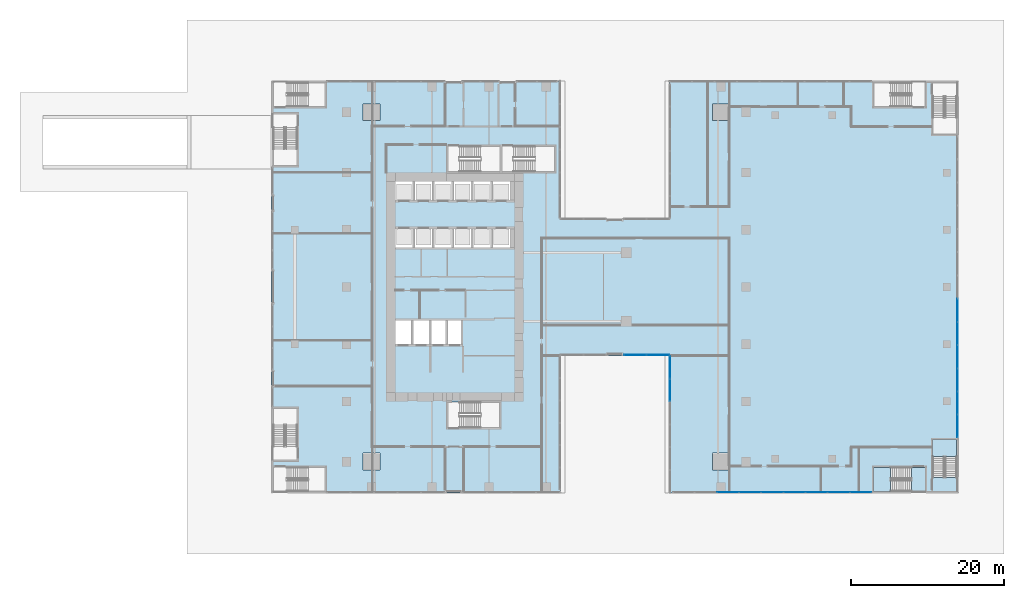
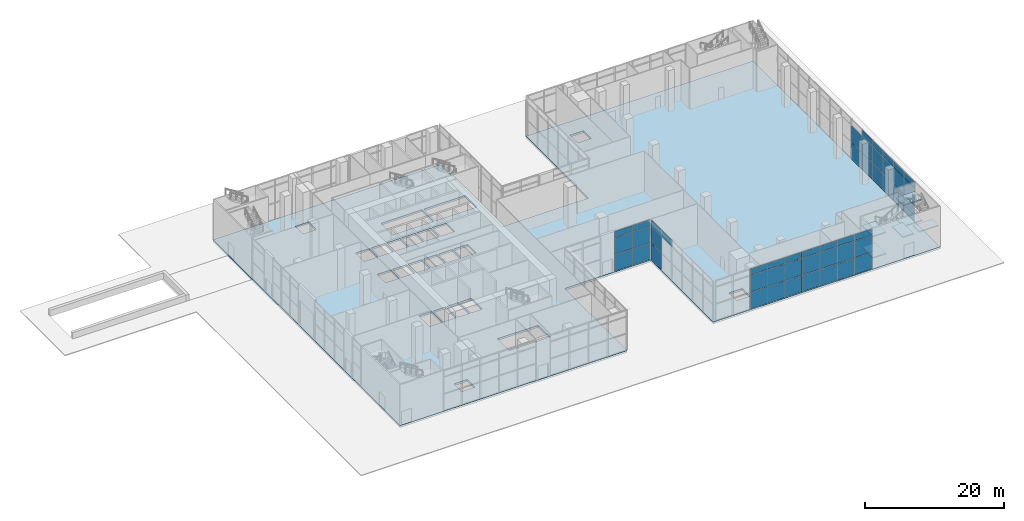
# One storey, part 34 of 52: 48 plates, 7 slabs, 6 elements without a shape of their own.
"""IFC4 building model written with IfcOpenShell, lengths in metres."""

from ifc_helpers import new_model, si_unit, direction, frame, origin, origin_2d, place, context, subcontext, project, spatial, polyline, rectangle, outline, extrude, source, transform, mapped, material, layer, layer_set, type_object, element, aggregate, save


model = new_model("IFC4")

# Units and contexts
model_context = context("Model", 3, precision=1e-05, world=origin(), true_north=direction((0.0, 1.0)))
body_context = subcontext(model_context, "Body", "Model", "MODEL_VIEW")
ifc_project = project(units=[si_unit("LENGTHUNIT", "METRE"), si_unit("AREAUNIT", "SQUARE_METRE"), si_unit("VOLUMEUNIT", "CUBIC_METRE"), si_unit("PLANEANGLEUNIT", "RADIAN"), si_unit("MASSUNIT", "GRAM", prefix="KILO")], contexts=[model_context])

# Site, building, storey
site_placement = place(None, origin())
site = spatial("IfcSite", under=ifc_project, at=site_placement, CompositionType="ELEMENT")
building_placement = place(site_placement, origin())
building = spatial("IfcBuilding", under=site, at=building_placement, Name="Khomas Fold Tower", CompositionType="ELEMENT")
storey_placement = place(building_placement, origin())
storey = spatial("IfcBuildingStorey", under=building, at=storey_placement, Name="L00", CompositionType="ELEMENT", Elevation=0.0)

# Slab
ifc_material_1 = material(Name="Concrete C40/50", Category="concrete")
ifc_layer_1 = layer(ifc_material_1, 0.35009765625)
ifc_layer_set_1 = layer_set([ifc_layer_1], Name="Concrete C40/50")
slab_type_1 = type_object("IfcSlabType", Name="RC floor slab 350", PredefinedType="FLOOR", material=ifc_layer_set_1)
shared_shape_1 = source(origin(), body_context, "Body", "SweptSolid", [
    extrude(outline(polyline([(-9.0, 0.0), (28.85009765625, 0.0), (28.85009765625, 18.0), (43.14990234375, 18.0), (43.14990234375, 0.0), (81.0, 0.0), (81.0, 54.0), (43.14990234375, 54.0), (43.14990234375, 36.0), (28.85009765625, 36.0), (28.85009765625, 54.0), (-9.0, 54.0), (-9.0, 0.0)]), holes=[polyline([(2.9951171875, 2.9951171875), (2.9951171875, 5.205078125), (5.205078125, 5.205078125), (5.205078125, 2.9951171875), (2.9951171875, 2.9951171875)]), polyline([(2.9951171875, 48.794921875), (2.9951171875, 51.0048828125), (5.205078125, 51.0048828125), (5.205078125, 48.794921875), (2.9951171875, 48.794921875)]), polyline([(7.199951171875, 19.5), (7.199951171875, 22.60009765625), (9.300048828125, 22.60009765625), (9.300048828125, 19.5), (7.199951171875, 19.5)]), polyline([(7.199951171875, 32.199951171875), (7.199951171875, 34.60009765625), (9.5, 34.60009765625), (9.5, 32.199951171875), (7.199951171875, 32.199951171875)]), polyline([(7.199951171875, 38.39990234375), (7.199951171875, 40.800048828125), (9.5, 40.800048828125), (9.5, 38.39990234375), (7.199951171875, 38.39990234375)]), polyline([(9.550048828125, 19.5), (9.550048828125, 22.60009765625), (11.64990234375, 22.60009765625), (11.64990234375, 19.5), (9.550048828125, 19.5)]), polyline([(9.75, 32.199951171875), (9.75, 34.60009765625), (12.050048828125, 34.60009765625), (12.050048828125, 32.199951171875), (9.75, 32.199951171875)]), polyline([(9.75, 38.39990234375), (9.75, 40.800048828125), (12.050048828125, 40.800048828125), (12.050048828125, 38.39990234375), (9.75, 38.39990234375)]), polyline([(11.89990234375, 19.5), (11.89990234375, 22.60009765625), (13.800048828125, 22.60009765625), (13.800048828125, 19.5), (11.89990234375, 19.5)]), polyline([(12.300048828125, 32.199951171875), (12.300048828125, 34.60009765625), (14.60009765625, 34.60009765625), (14.60009765625, 32.199951171875), (12.300048828125, 32.199951171875)]), polyline([(12.300048828125, 38.39990234375), (12.300048828125, 40.800048828125), (14.60009765625, 40.800048828125), (14.60009765625, 38.39990234375), (12.300048828125, 38.39990234375)]), polyline([(14.050048828125, 19.5), (14.050048828125, 22.60009765625), (15.949951171875, 22.60009765625), (15.949951171875, 19.5), (14.050048828125, 19.5)]), polyline([(14.10009765625, 8.550048828125), (14.10009765625, 11.89990234375), (20.89990234375, 11.89990234375), (20.89990234375, 8.550048828125), (14.10009765625, 8.550048828125)]), polyline([(14.10009765625, 42.10009765625), (14.10009765625, 45.449951171875), (20.89990234375, 45.449951171875), (20.89990234375, 42.10009765625), (14.10009765625, 42.10009765625)]), polyline([(14.85009765625, 32.199951171875), (14.85009765625, 34.60009765625), (17.14990234375, 34.60009765625), (17.14990234375, 32.199951171875), (14.85009765625, 32.199951171875)]), polyline([(14.85009765625, 38.39990234375), (14.85009765625, 40.800048828125), (17.14990234375, 40.800048828125), (17.14990234375, 38.39990234375), (14.85009765625, 38.39990234375)]), polyline([(17.39990234375, 32.199951171875), (17.39990234375, 34.60009765625), (19.699951171875, 34.60009765625), (19.699951171875, 32.199951171875), (17.39990234375, 32.199951171875)]), polyline([(17.39990234375, 38.39990234375), (17.39990234375, 40.800048828125), (19.699951171875, 40.800048828125), (19.699951171875, 38.39990234375), (17.39990234375, 38.39990234375)]), polyline([(19.949951171875, 32.199951171875), (19.949951171875, 34.60009765625), (22.25, 34.60009765625), (22.25, 32.199951171875), (19.949951171875, 32.199951171875)]), polyline([(19.949951171875, 38.39990234375), (19.949951171875, 40.800048828125), (22.25, 40.800048828125), (22.25, 38.39990234375), (19.949951171875, 38.39990234375)]), polyline([(21.199951171875, 42.10009765625), (21.199951171875, 45.449951171875), (28.10009765625, 45.449951171875), (28.10009765625, 42.10009765625), (21.199951171875, 42.10009765625)]), polyline([(48.794921875, 2.9951171875), (48.794921875, 5.205078125), (51.0048828125, 5.205078125), (51.0048828125, 2.9951171875), (48.794921875, 2.9951171875)]), polyline([(48.794921875, 48.794921875), (48.794921875, 51.0048828125), (51.0048828125, 51.0048828125), (51.0048828125, 48.794921875), (48.794921875, 48.794921875)])]), origin(), (0.0, 0.0, 1.0), 0.35009765625),
])
slab_1_placement = place(storey_placement, frame((0.0, 0.0, -0.35009765625)))
element("IfcSlab", 1, at=slab_1_placement, inside=storey, type_object=slab_type_1, Name="S-L00", PredefinedType="FLOOR", context=body_context, shape_type="MappedRepresentation", body=[
    mapped(shared_shape_1, transform((0.0, 0.0, 0.0))),
])

# Curtain wall, plates
ifc_material_2 = material(Name="Aluminium framed double glazing", Category="aluminium")
curtain_wall_type = type_object("IfcCurtainWallType", Name="Shopfront glazing PD-CW", PredefinedType="NOTDEFINED", material=ifc_material_2)
curtain_wall_1_placement = place(storey_placement, origin())
curtain_wall_1 = element("IfcCurtainWall", 2, at=curtain_wall_1_placement, inside=storey, type_object=curtain_wall_type, Name="Podium shopfront run", PredefinedType="NOTDEFINED")
ifc_material_3 = material(Name="Double glazed unit")
ifc_layer_2 = layer(ifc_material_3, 0.031982421875)
ifc_layer_set_2 = layer_set([ifc_layer_2], Name="Double glazed unit")
plate_type = type_object("IfcPlateType", Name="Shopfront glazing panel PD-CW-P", PredefinedType="CURTAIN_PANEL", material=ifc_layer_set_2)
shared_shape_2 = source(origin(), body_context, "Body", "SweptSolid", [
    extrude(rectangle(XDim=2.909912109375, YDim=0.031982421875, at=origin_2d()), origin(), (0.0, 0.0, 1.0), 2.909912109375),
])
plate_1_placement = place(storey_placement, frame((38.6650390625, 18.080078125, 0.06005859375), z_axis=(0.0, 0.0, 1.0), x_axis=(1.0, 0.0, 0.0)))
plate_1 = element("IfcPlate", 3, at=plate_1_placement, type_object=plate_type, Name="PD-CW panel 1.1", PredefinedType="CURTAIN_PANEL", context=body_context, shape_type="MappedRepresentation", body=[
    mapped(shared_shape_2, transform((0.0, 0.0, 0.0))),
])
plate_2_placement = place(storey_placement, frame((41.635009765625, 18.080078125, 0.06005859375), z_axis=(0.0, 0.0, 1.0), x_axis=(1.0, 0.0, 0.0)))
plate_2 = element("IfcPlate", 4, at=plate_2_placement, type_object=plate_type, Name="PD-CW panel 2.1", PredefinedType="CURTAIN_PANEL", context=body_context, shape_type="MappedRepresentation", body=[
    mapped(shared_shape_2, transform((0.0, 0.0, 0.0))),
])

# Curtain wall, plate
curtain_wall_2_placement = place(storey_placement, origin())
curtain_wall_2 = element("IfcCurtainWall", 5, at=curtain_wall_2_placement, inside=storey, type_object=curtain_wall_type, Name="Podium shopfront run", PredefinedType="NOTDEFINED")
plate_3_placement = place(storey_placement, frame((43.22998046875, 16.485107421875, 0.06005859375), z_axis=(0.0, 0.0, 1.0), x_axis=(0.0, -1.0, 0.0)))
plate_3 = element("IfcPlate", 6, at=plate_3_placement, type_object=plate_type, Name="PD-CW panel 1.1", PredefinedType="CURTAIN_PANEL", context=body_context, shape_type="MappedRepresentation", body=[
    mapped(shared_shape_2, transform((0.0, 0.0, 0.0))),
])

# Plate
shared_shape_3 = source(origin(), body_context, "Body", "SweptSolid", [
    extrude(rectangle(XDim=2.909912109375, YDim=0.031982421875, at=origin_2d()), origin(), (0.0, 0.0, 1.0), 2.93994140625),
])
plate_4_placement = place(storey_placement, frame((38.6650390625, 18.080078125, 3.030029296875), z_axis=(0.0, 0.0, 1.0), x_axis=(1.0, 0.0, 0.0)))
plate_4 = element("IfcPlate", 7, at=plate_4_placement, type_object=plate_type, Name="PD-CW panel 1.2", PredefinedType="CURTAIN_PANEL", context=body_context, shape_type="MappedRepresentation", body=[
    mapped(shared_shape_3, transform((0.0, 0.0, 0.0))),
])

plate_5_placement = place(storey_placement, frame((41.635009765625, 18.080078125, 3.030029296875), z_axis=(0.0, 0.0, 1.0), x_axis=(1.0, 0.0, 0.0)))
plate_5 = element("IfcPlate", 8, at=plate_5_placement, type_object=plate_type, Name="PD-CW panel 2.2", PredefinedType="CURTAIN_PANEL", context=body_context, shape_type="MappedRepresentation", body=[
    mapped(shared_shape_3, transform((0.0, 0.0, 0.0))),
])

plate_6_placement = place(storey_placement, frame((43.22998046875, 16.485107421875, 3.030029296875), z_axis=(0.0, 0.0, 1.0), x_axis=(0.0, -1.0, 0.0)))
plate_6 = element("IfcPlate", 9, at=plate_6_placement, type_object=plate_type, Name="PD-CW panel 1.2", PredefinedType="CURTAIN_PANEL", context=body_context, shape_type="MappedRepresentation", body=[
    mapped(shared_shape_3, transform((0.0, 0.0, 0.0))),
])

shared_shape_4 = source(origin(), body_context, "Body", "SweptSolid", [
    extrude(rectangle(XDim=2.909912109375, YDim=0.031982421875, at=origin_2d()), origin(), (0.0, 0.0, 1.0), 1.06005859375),
])
plate_7_placement = place(storey_placement, frame((38.6650390625, 18.080078125, 6.030029296875), z_axis=(0.0, 0.0, 1.0), x_axis=(1.0, 0.0, 0.0)))
plate_7 = element("IfcPlate", 10, at=plate_7_placement, type_object=plate_type, Name="PD-CW panel 1.3", PredefinedType="CURTAIN_PANEL", context=body_context, shape_type="MappedRepresentation", body=[
    mapped(shared_shape_4, transform((0.0, 0.0, 0.0))),
])

plate_8_placement = place(storey_placement, frame((41.635009765625, 18.080078125, 6.030029296875), z_axis=(0.0, 0.0, 1.0), x_axis=(1.0, 0.0, 0.0)))
plate_8 = element("IfcPlate", 11, at=plate_8_placement, type_object=plate_type, Name="PD-CW panel 2.3", PredefinedType="CURTAIN_PANEL", context=body_context, shape_type="MappedRepresentation", body=[
    mapped(shared_shape_4, transform((0.0, 0.0, 0.0))),
])

aggregate(curtain_wall_1, [plate_1, plate_4, plate_7, plate_2, plate_5, plate_8])

plate_9_placement = place(storey_placement, frame((43.22998046875, 16.485107421875, 6.030029296875), z_axis=(0.0, 0.0, 1.0), x_axis=(0.0, -1.0, 0.0)))
plate_9 = element("IfcPlate", 12, at=plate_9_placement, type_object=plate_type, Name="PD-CW panel 1.3", PredefinedType="CURTAIN_PANEL", context=body_context, shape_type="MappedRepresentation", body=[
    mapped(shared_shape_4, transform((0.0, 0.0, 0.0))),
])

shared_shape_5 = source(origin(), body_context, "Body", "SweptSolid", [
    extrude(rectangle(XDim=2.93994140625, YDim=0.031982421875, at=origin_2d()), origin(), (0.0, 0.0, 1.0), 1.06005859375),
])
plate_10_placement = place(storey_placement, frame((43.22998046875, 13.5, 6.030029296875), z_axis=(0.0, 0.0, 1.0), x_axis=(0.0, -1.0, 0.0)))
plate_10 = element("IfcPlate", 13, at=plate_10_placement, type_object=plate_type, Name="PD-CW panel 2.3", PredefinedType="CURTAIN_PANEL", context=body_context, shape_type="MappedRepresentation", body=[
    mapped(shared_shape_5, transform((0.0, 0.0, 0.0))),
])

aggregate(curtain_wall_2, [plate_3, plate_6, plate_9, plate_10])

# Curtain wall, plates
curtain_wall_3_placement = place(storey_placement, origin())
curtain_wall_3 = element("IfcCurtainWall", 14, at=curtain_wall_3_placement, inside=storey, type_object=curtain_wall_type, Name="Podium shopfront run", PredefinedType="NOTDEFINED")
shared_shape_6 = source(origin(), body_context, "Body", "SweptSolid", [
    extrude(rectangle(XDim=2.814453125, YDim=0.031982421875, at=origin_2d()), origin(), (0.0, 0.0, 1.0), 2.909912109375),
])
plate_11_placement = place(storey_placement, frame((68.22265625, 0.080078125, 0.06005859375), z_axis=(0.0, 0.0, 1.0), x_axis=(1.0, 0.0, 0.0)))
plate_11 = element("IfcPlate", 15, at=plate_11_placement, type_object=plate_type, Name="PD-CW panel 9.1", PredefinedType="CURTAIN_PANEL", context=body_context, shape_type="MappedRepresentation", body=[
    mapped(shared_shape_6, transform((0.0, 0.0, 0.0))),
])
shared_shape_7 = source(origin(), body_context, "Body", "SweptSolid", [
    extrude(rectangle(XDim=2.814453125, YDim=0.031982421875, at=origin_2d()), origin(), (0.0, 0.0, 1.0), 2.93994140625),
])
plate_12_placement = place(storey_placement, frame((68.22265625, 0.080078125, 3.030029296875), z_axis=(0.0, 0.0, 1.0), x_axis=(1.0, 0.0, 0.0)))
plate_12 = element("IfcPlate", 16, at=plate_12_placement, type_object=plate_type, Name="PD-CW panel 9.2", PredefinedType="CURTAIN_PANEL", context=body_context, shape_type="MappedRepresentation", body=[
    mapped(shared_shape_7, transform((0.0, 0.0, 0.0))),
])
shared_shape_8 = source(origin(), body_context, "Body", "SweptSolid", [
    extrude(rectangle(XDim=2.814453125, YDim=0.031982421875, at=origin_2d()), origin(), (0.0, 0.0, 1.0), 1.06005859375),
])
plate_13_placement = place(storey_placement, frame((68.22265625, 0.080078125, 6.030029296875), z_axis=(0.0, 0.0, 1.0), x_axis=(1.0, 0.0, 0.0)))
plate_13 = element("IfcPlate", 17, at=plate_13_placement, type_object=plate_type, Name="PD-CW panel 9.3", PredefinedType="CURTAIN_PANEL", context=body_context, shape_type="MappedRepresentation", body=[
    mapped(shared_shape_8, transform((0.0, 0.0, 0.0))),
])
shared_shape_9 = source(origin(), body_context, "Body", "SweptSolid", [
    extrude(rectangle(XDim=2.844482421875, YDim=0.031982421875, at=origin_2d()), origin(), (0.0, 0.0, 1.0), 2.909912109375),
])
plate_14_placement = place(storey_placement, frame((50.81103515625, 0.080078125, 0.06005859375), z_axis=(0.0, 0.0, 1.0), x_axis=(1.0, 0.0, 0.0)))
plate_14 = element("IfcPlate", 18, at=plate_14_placement, type_object=plate_type, Name="PD-CW panel 3.1", PredefinedType="CURTAIN_PANEL", context=body_context, shape_type="MappedRepresentation", body=[
    mapped(shared_shape_9, transform((0.0, 0.0, 0.0))),
])
plate_15_placement = place(storey_placement, frame((53.715576171875, 0.080078125, 0.06005859375), z_axis=(0.0, 0.0, 1.0), x_axis=(1.0, 0.0, 0.0)))
plate_15 = element("IfcPlate", 19, at=plate_15_placement, type_object=plate_type, Name="PD-CW panel 4.1", PredefinedType="CURTAIN_PANEL", context=body_context, shape_type="MappedRepresentation", body=[
    mapped(shared_shape_9, transform((0.0, 0.0, 0.0))),
])
plate_16_placement = place(storey_placement, frame((56.6201171875, 0.080078125, 0.06005859375), z_axis=(0.0, 0.0, 1.0), x_axis=(1.0, 0.0, 0.0)))
plate_16 = element("IfcPlate", 20, at=plate_16_placement, type_object=plate_type, Name="PD-CW panel 5.1", PredefinedType="CURTAIN_PANEL", context=body_context, shape_type="MappedRepresentation", body=[
    mapped(shared_shape_9, transform((0.0, 0.0, 0.0))),
])
plate_17_placement = place(storey_placement, frame((59.5244140625, 0.080078125, 0.06005859375), z_axis=(0.0, 0.0, 1.0), x_axis=(1.0, 0.0, 0.0)))
plate_17 = element("IfcPlate", 21, at=plate_17_placement, type_object=plate_type, Name="PD-CW panel 6.1", PredefinedType="CURTAIN_PANEL", context=body_context, shape_type="MappedRepresentation", body=[
    mapped(shared_shape_9, transform((0.0, 0.0, 0.0))),
])
plate_18_placement = place(storey_placement, frame((62.428955078125, 0.080078125, 0.06005859375), z_axis=(0.0, 0.0, 1.0), x_axis=(1.0, 0.0, 0.0)))
plate_18 = element("IfcPlate", 22, at=plate_18_placement, type_object=plate_type, Name="PD-CW panel 7.1", PredefinedType="CURTAIN_PANEL", context=body_context, shape_type="MappedRepresentation", body=[
    mapped(shared_shape_9, transform((0.0, 0.0, 0.0))),
])
plate_19_placement = place(storey_placement, frame((65.333251953125, 0.080078125, 0.06005859375), z_axis=(0.0, 0.0, 1.0), x_axis=(1.0, 0.0, 0.0)))
plate_19 = element("IfcPlate", 23, at=plate_19_placement, type_object=plate_type, Name="PD-CW panel 8.1", PredefinedType="CURTAIN_PANEL", context=body_context, shape_type="MappedRepresentation", body=[
    mapped(shared_shape_9, transform((0.0, 0.0, 0.0))),
])
shared_shape_10 = source(origin(), body_context, "Body", "SweptSolid", [
    extrude(rectangle(XDim=2.844482421875, YDim=0.031982421875, at=origin_2d()), origin(), (0.0, 0.0, 1.0), 2.93994140625),
])
plate_20_placement = place(storey_placement, frame((50.81103515625, 0.080078125, 3.030029296875), z_axis=(0.0, 0.0, 1.0), x_axis=(1.0, 0.0, 0.0)))
plate_20 = element("IfcPlate", 24, at=plate_20_placement, type_object=plate_type, Name="PD-CW panel 3.2", PredefinedType="CURTAIN_PANEL", context=body_context, shape_type="MappedRepresentation", body=[
    mapped(shared_shape_10, transform((0.0, 0.0, 0.0))),
])
plate_21_placement = place(storey_placement, frame((53.715576171875, 0.080078125, 3.030029296875), z_axis=(0.0, 0.0, 1.0), x_axis=(1.0, 0.0, 0.0)))
plate_21 = element("IfcPlate", 25, at=plate_21_placement, type_object=plate_type, Name="PD-CW panel 4.2", PredefinedType="CURTAIN_PANEL", context=body_context, shape_type="MappedRepresentation", body=[
    mapped(shared_shape_10, transform((0.0, 0.0, 0.0))),
])
plate_22_placement = place(storey_placement, frame((56.6201171875, 0.080078125, 3.030029296875), z_axis=(0.0, 0.0, 1.0), x_axis=(1.0, 0.0, 0.0)))
plate_22 = element("IfcPlate", 26, at=plate_22_placement, type_object=plate_type, Name="PD-CW panel 5.2", PredefinedType="CURTAIN_PANEL", context=body_context, shape_type="MappedRepresentation", body=[
    mapped(shared_shape_10, transform((0.0, 0.0, 0.0))),
])
plate_23_placement = place(storey_placement, frame((59.5244140625, 0.080078125, 3.030029296875), z_axis=(0.0, 0.0, 1.0), x_axis=(1.0, 0.0, 0.0)))
plate_23 = element("IfcPlate", 27, at=plate_23_placement, type_object=plate_type, Name="PD-CW panel 6.2", PredefinedType="CURTAIN_PANEL", context=body_context, shape_type="MappedRepresentation", body=[
    mapped(shared_shape_10, transform((0.0, 0.0, 0.0))),
])
plate_24_placement = place(storey_placement, frame((62.428955078125, 0.080078125, 3.030029296875), z_axis=(0.0, 0.0, 1.0), x_axis=(1.0, 0.0, 0.0)))
plate_24 = element("IfcPlate", 28, at=plate_24_placement, type_object=plate_type, Name="PD-CW panel 7.2", PredefinedType="CURTAIN_PANEL", context=body_context, shape_type="MappedRepresentation", body=[
    mapped(shared_shape_10, transform((0.0, 0.0, 0.0))),
])
plate_25_placement = place(storey_placement, frame((65.333251953125, 0.080078125, 3.030029296875), z_axis=(0.0, 0.0, 1.0), x_axis=(1.0, 0.0, 0.0)))
plate_25 = element("IfcPlate", 29, at=plate_25_placement, type_object=plate_type, Name="PD-CW panel 8.2", PredefinedType="CURTAIN_PANEL", context=body_context, shape_type="MappedRepresentation", body=[
    mapped(shared_shape_10, transform((0.0, 0.0, 0.0))),
])
shared_shape_11 = source(origin(), body_context, "Body", "SweptSolid", [
    extrude(rectangle(XDim=2.844482421875, YDim=0.031982421875, at=origin_2d()), origin(), (0.0, 0.0, 1.0), 1.06005859375),
])
plate_26_placement = place(storey_placement, frame((50.81103515625, 0.080078125, 6.030029296875), z_axis=(0.0, 0.0, 1.0), x_axis=(1.0, 0.0, 0.0)))
plate_26 = element("IfcPlate", 30, at=plate_26_placement, type_object=plate_type, Name="PD-CW panel 3.3", PredefinedType="CURTAIN_PANEL", context=body_context, shape_type="MappedRepresentation", body=[
    mapped(shared_shape_11, transform((0.0, 0.0, 0.0))),
])
plate_27_placement = place(storey_placement, frame((53.715576171875, 0.080078125, 6.030029296875), z_axis=(0.0, 0.0, 1.0), x_axis=(1.0, 0.0, 0.0)))
plate_27 = element("IfcPlate", 31, at=plate_27_placement, type_object=plate_type, Name="PD-CW panel 4.3", PredefinedType="CURTAIN_PANEL", context=body_context, shape_type="MappedRepresentation", body=[
    mapped(shared_shape_11, transform((0.0, 0.0, 0.0))),
])
plate_28_placement = place(storey_placement, frame((56.6201171875, 0.080078125, 6.030029296875), z_axis=(0.0, 0.0, 1.0), x_axis=(1.0, 0.0, 0.0)))
plate_28 = element("IfcPlate", 32, at=plate_28_placement, type_object=plate_type, Name="PD-CW panel 5.3", PredefinedType="CURTAIN_PANEL", context=body_context, shape_type="MappedRepresentation", body=[
    mapped(shared_shape_11, transform((0.0, 0.0, 0.0))),
])
plate_29_placement = place(storey_placement, frame((59.5244140625, 0.080078125, 6.030029296875), z_axis=(0.0, 0.0, 1.0), x_axis=(1.0, 0.0, 0.0)))
plate_29 = element("IfcPlate", 33, at=plate_29_placement, type_object=plate_type, Name="PD-CW panel 6.3", PredefinedType="CURTAIN_PANEL", context=body_context, shape_type="MappedRepresentation", body=[
    mapped(shared_shape_11, transform((0.0, 0.0, 0.0))),
])
plate_30_placement = place(storey_placement, frame((62.428955078125, 0.080078125, 6.030029296875), z_axis=(0.0, 0.0, 1.0), x_axis=(1.0, 0.0, 0.0)))
plate_30 = element("IfcPlate", 34, at=plate_30_placement, type_object=plate_type, Name="PD-CW panel 7.3", PredefinedType="CURTAIN_PANEL", context=body_context, shape_type="MappedRepresentation", body=[
    mapped(shared_shape_11, transform((0.0, 0.0, 0.0))),
])
plate_31_placement = place(storey_placement, frame((65.333251953125, 0.080078125, 6.030029296875), z_axis=(0.0, 0.0, 1.0), x_axis=(1.0, 0.0, 0.0)))
plate_31 = element("IfcPlate", 35, at=plate_31_placement, type_object=plate_type, Name="PD-CW panel 8.3", PredefinedType="CURTAIN_PANEL", context=body_context, shape_type="MappedRepresentation", body=[
    mapped(shared_shape_11, transform((0.0, 0.0, 0.0))),
])
aggregate(curtain_wall_3, [plate_14, plate_20, plate_26, plate_15, plate_21, plate_27, plate_16, plate_22, plate_28, plate_17, plate_23, plate_29, plate_18, plate_24, plate_30, plate_19, plate_25, plate_31, plate_11, plate_12, plate_13])

curtain_wall_4_placement = place(storey_placement, origin())
curtain_wall_4 = element("IfcCurtainWall", 36, at=curtain_wall_4_placement, inside=storey, type_object=curtain_wall_type, Name="Podium shopfront run", PredefinedType="NOTDEFINED")
shared_shape_12 = source(origin(), body_context, "Body", "SweptSolid", [
    extrude(rectangle(XDim=2.95458984375, YDim=0.031982421875, at=origin_2d()), origin(), (0.0, 0.0, 1.0), 2.909912109375),
])
plate_32_placement = place(storey_placement, frame((80.919921875, 8.747314453125, 0.06005859375), z_axis=(0.0, 0.0, 1.0), x_axis=(0.0, 1.0, 0.0)))
plate_32 = element("IfcPlate", 37, at=plate_32_placement, type_object=plate_type, Name="PD-CW panel 1.1", PredefinedType="CURTAIN_PANEL", context=body_context, shape_type="MappedRepresentation", body=[
    mapped(shared_shape_12, transform((0.0, 0.0, 0.0))),
])
shared_shape_13 = source(origin(), body_context, "Body", "SweptSolid", [
    extrude(rectangle(XDim=2.95458984375, YDim=0.031982421875, at=origin_2d()), origin(), (0.0, 0.0, 1.0), 2.93994140625),
])
plate_33_placement = place(storey_placement, frame((80.919921875, 8.747314453125, 3.030029296875), z_axis=(0.0, 0.0, 1.0), x_axis=(0.0, 1.0, 0.0)))
plate_33 = element("IfcPlate", 38, at=plate_33_placement, type_object=plate_type, Name="PD-CW panel 1.2", PredefinedType="CURTAIN_PANEL", context=body_context, shape_type="MappedRepresentation", body=[
    mapped(shared_shape_13, transform((0.0, 0.0, 0.0))),
])
shared_shape_14 = source(origin(), body_context, "Body", "SweptSolid", [
    extrude(rectangle(XDim=2.95458984375, YDim=0.031982421875, at=origin_2d()), origin(), (0.0, 0.0, 1.0), 1.06005859375),
])
plate_34_placement = place(storey_placement, frame((80.919921875, 8.747314453125, 6.030029296875), z_axis=(0.0, 0.0, 1.0), x_axis=(0.0, 1.0, 0.0)))
plate_34 = element("IfcPlate", 39, at=plate_34_placement, type_object=plate_type, Name="PD-CW panel 1.3", PredefinedType="CURTAIN_PANEL", context=body_context, shape_type="MappedRepresentation", body=[
    mapped(shared_shape_14, transform((0.0, 0.0, 0.0))),
])
shared_shape_15 = source(origin(), body_context, "Body", "SweptSolid", [
    extrude(rectangle(XDim=2.984619140625, YDim=0.031982421875, at=origin_2d()), origin(), (0.0, 0.0, 1.0), 2.909912109375),
])
plate_35_placement = place(storey_placement, frame((80.919921875, 11.77685546875, 0.06005859375), z_axis=(0.0, 0.0, 1.0), x_axis=(0.0, 1.0, 0.0)))
plate_35 = element("IfcPlate", 40, at=plate_35_placement, type_object=plate_type, Name="PD-CW panel 2.1", PredefinedType="CURTAIN_PANEL", context=body_context, shape_type="MappedRepresentation", body=[
    mapped(shared_shape_15, transform((0.0, 0.0, 0.0))),
])
plate_36_placement = place(storey_placement, frame((80.919921875, 14.821533203125, 0.06005859375), z_axis=(0.0, 0.0, 1.0), x_axis=(0.0, 1.0, 0.0)))
plate_36 = element("IfcPlate", 41, at=plate_36_placement, type_object=plate_type, Name="PD-CW panel 3.1", PredefinedType="CURTAIN_PANEL", context=body_context, shape_type="MappedRepresentation", body=[
    mapped(shared_shape_15, transform((0.0, 0.0, 0.0))),
])
plate_37_placement = place(storey_placement, frame((80.919921875, 17.8662109375, 0.06005859375), z_axis=(0.0, 0.0, 1.0), x_axis=(0.0, 1.0, 0.0)))
plate_37 = element("IfcPlate", 42, at=plate_37_placement, type_object=plate_type, Name="PD-CW panel 4.1", PredefinedType="CURTAIN_PANEL", context=body_context, shape_type="MappedRepresentation", body=[
    mapped(shared_shape_15, transform((0.0, 0.0, 0.0))),
])
plate_38_placement = place(storey_placement, frame((80.919921875, 20.910888671875, 0.06005859375), z_axis=(0.0, 0.0, 1.0), x_axis=(0.0, 1.0, 0.0)))
plate_38 = element("IfcPlate", 43, at=plate_38_placement, type_object=plate_type, Name="PD-CW panel 5.1", PredefinedType="CURTAIN_PANEL", context=body_context, shape_type="MappedRepresentation", body=[
    mapped(shared_shape_15, transform((0.0, 0.0, 0.0))),
])
plate_39_placement = place(storey_placement, frame((80.919921875, 23.955322265625, 0.06005859375), z_axis=(0.0, 0.0, 1.0), x_axis=(0.0, 1.0, 0.0)))
plate_39 = element("IfcPlate", 44, at=plate_39_placement, type_object=plate_type, Name="PD-CW panel 6.1", PredefinedType="CURTAIN_PANEL", context=body_context, shape_type="MappedRepresentation", body=[
    mapped(shared_shape_15, transform((0.0, 0.0, 0.0))),
])
shared_shape_16 = source(origin(), body_context, "Body", "SweptSolid", [
    extrude(rectangle(XDim=2.984619140625, YDim=0.031982421875, at=origin_2d()), origin(), (0.0, 0.0, 1.0), 2.93994140625),
])
plate_40_placement = place(storey_placement, frame((80.919921875, 11.77685546875, 3.030029296875), z_axis=(0.0, 0.0, 1.0), x_axis=(0.0, 1.0, 0.0)))
plate_40 = element("IfcPlate", 45, at=plate_40_placement, type_object=plate_type, Name="PD-CW panel 2.2", PredefinedType="CURTAIN_PANEL", context=body_context, shape_type="MappedRepresentation", body=[
    mapped(shared_shape_16, transform((0.0, 0.0, 0.0))),
])
plate_41_placement = place(storey_placement, frame((80.919921875, 14.821533203125, 3.030029296875), z_axis=(0.0, 0.0, 1.0), x_axis=(0.0, 1.0, 0.0)))
plate_41 = element("IfcPlate", 46, at=plate_41_placement, type_object=plate_type, Name="PD-CW panel 3.2", PredefinedType="CURTAIN_PANEL", context=body_context, shape_type="MappedRepresentation", body=[
    mapped(shared_shape_16, transform((0.0, 0.0, 0.0))),
])
plate_42_placement = place(storey_placement, frame((80.919921875, 17.8662109375, 3.030029296875), z_axis=(0.0, 0.0, 1.0), x_axis=(0.0, 1.0, 0.0)))
plate_42 = element("IfcPlate", 47, at=plate_42_placement, type_object=plate_type, Name="PD-CW panel 4.2", PredefinedType="CURTAIN_PANEL", context=body_context, shape_type="MappedRepresentation", body=[
    mapped(shared_shape_16, transform((0.0, 0.0, 0.0))),
])
plate_43_placement = place(storey_placement, frame((80.919921875, 20.910888671875, 3.030029296875), z_axis=(0.0, 0.0, 1.0), x_axis=(0.0, 1.0, 0.0)))
plate_43 = element("IfcPlate", 48, at=plate_43_placement, type_object=plate_type, Name="PD-CW panel 5.2", PredefinedType="CURTAIN_PANEL", context=body_context, shape_type="MappedRepresentation", body=[
    mapped(shared_shape_16, transform((0.0, 0.0, 0.0))),
])
plate_44_placement = place(storey_placement, frame((80.919921875, 23.955322265625, 3.030029296875), z_axis=(0.0, 0.0, 1.0), x_axis=(0.0, 1.0, 0.0)))
plate_44 = element("IfcPlate", 49, at=plate_44_placement, type_object=plate_type, Name="PD-CW panel 6.2", PredefinedType="CURTAIN_PANEL", context=body_context, shape_type="MappedRepresentation", body=[
    mapped(shared_shape_16, transform((0.0, 0.0, 0.0))),
])
shared_shape_17 = source(origin(), body_context, "Body", "SweptSolid", [
    extrude(rectangle(XDim=2.984619140625, YDim=0.031982421875, at=origin_2d()), origin(), (0.0, 0.0, 1.0), 1.06005859375),
])
plate_45_placement = place(storey_placement, frame((80.919921875, 11.77685546875, 6.030029296875), z_axis=(0.0, 0.0, 1.0), x_axis=(0.0, 1.0, 0.0)))
plate_45 = element("IfcPlate", 50, at=plate_45_placement, type_object=plate_type, Name="PD-CW panel 2.3", PredefinedType="CURTAIN_PANEL", context=body_context, shape_type="MappedRepresentation", body=[
    mapped(shared_shape_17, transform((0.0, 0.0, 0.0))),
])
plate_46_placement = place(storey_placement, frame((80.919921875, 14.821533203125, 6.030029296875), z_axis=(0.0, 0.0, 1.0), x_axis=(0.0, 1.0, 0.0)))
plate_46 = element("IfcPlate", 51, at=plate_46_placement, type_object=plate_type, Name="PD-CW panel 3.3", PredefinedType="CURTAIN_PANEL", context=body_context, shape_type="MappedRepresentation", body=[
    mapped(shared_shape_17, transform((0.0, 0.0, 0.0))),
])
plate_47_placement = place(storey_placement, frame((80.919921875, 17.8662109375, 6.030029296875), z_axis=(0.0, 0.0, 1.0), x_axis=(0.0, 1.0, 0.0)))
plate_47 = element("IfcPlate", 52, at=plate_47_placement, type_object=plate_type, Name="PD-CW panel 4.3", PredefinedType="CURTAIN_PANEL", context=body_context, shape_type="MappedRepresentation", body=[
    mapped(shared_shape_17, transform((0.0, 0.0, 0.0))),
])
plate_48_placement = place(storey_placement, frame((80.919921875, 20.910888671875, 6.030029296875), z_axis=(0.0, 0.0, 1.0), x_axis=(0.0, 1.0, 0.0)))
plate_48 = element("IfcPlate", 53, at=plate_48_placement, type_object=plate_type, Name="PD-CW panel 5.3", PredefinedType="CURTAIN_PANEL", context=body_context, shape_type="MappedRepresentation", body=[
    mapped(shared_shape_17, transform((0.0, 0.0, 0.0))),
])
aggregate(curtain_wall_4, [plate_32, plate_33, plate_34, plate_35, plate_40, plate_45, plate_36, plate_41, plate_46, plate_37, plate_42, plate_47, plate_38, plate_43, plate_48, plate_39, plate_44])

# Stair, slabs
ifc_material_4 = material(Name="Concrete C40/50", Category="concrete")
stair_type_1 = type_object("IfcStairType", Name="Stair PS3", PredefinedType="HALF_TURN_STAIR", material=ifc_material_4)
stair_1_placement = place(storey_placement, origin())
stair_1 = element("IfcStair", 54, at=stair_1_placement, inside=storey, type_object=stair_type_1, Name="L00 PS3", PredefinedType="HALF_TURN_STAIR")
ifc_material_5 = material(Name="Concrete C40/50", Category="concrete")
ifc_layer_3 = layer(ifc_material_5, 0.199951171875)
ifc_layer_set_3 = layer_set([ifc_layer_3], Name="Concrete C40/50")
slab_type_2 = type_object("IfcSlabType", Name="Stair landing 200", PredefinedType="LANDING", material=ifc_layer_set_3)
shared_shape_18 = source(origin(), body_context, "Body", "SweptSolid", [
    extrude(outline(polyline([(72.10009765625, 3.35009765625), (69.89990234375, 3.35009765625), (69.89990234375, 0.199951171875), (72.10009765625, 0.199951171875), (72.10009765625, 3.35009765625)])), origin(), (0.0, 0.0, 1.0), 0.199951171875),
])
slab_2_placement = place(storey_placement, frame((0.0, 0.0, 1.675048828125)))
slab_2 = element("IfcSlab", 55, at=slab_2_placement, type_object=slab_type_2, Name="PS3 landing 1", PredefinedType="LANDING", context=body_context, shape_type="MappedRepresentation", body=[
    mapped(shared_shape_18, transform((0.0, 0.0, 0.0))),
])
slab_3_placement = place(storey_placement, frame((0.0, 0.0, 5.425048828125)))
slab_3 = element("IfcSlab", 56, at=slab_3_placement, type_object=slab_type_2, Name="PS3 landing 3", PredefinedType="LANDING", context=body_context, shape_type="MappedRepresentation", body=[
    mapped(shared_shape_18, transform((0.0, 0.0, 0.0))),
])
shared_shape_19 = source(origin(), body_context, "Body", "SweptSolid", [
    extrude(outline(polyline([(76.699951171875, 3.35009765625), (74.89990234375, 3.35009765625), (74.89990234375, 0.199951171875), (76.699951171875, 0.199951171875), (76.699951171875, 3.35009765625)])), origin(), (0.0, 0.0, 1.0), 0.199951171875),
])
slab_4_placement = place(storey_placement, frame((0.0, 0.0, 3.550048828125)))
slab_4 = element("IfcSlab", 57, at=slab_4_placement, type_object=slab_type_2, Name="PS3 landing 2", PredefinedType="LANDING", context=body_context, shape_type="MappedRepresentation", body=[
    mapped(shared_shape_19, transform((0.0, 0.0, 0.0))),
])
aggregate(stair_1, [slab_2, slab_4, slab_3])

ifc_material_6 = material(Name="Concrete C40/50", Category="concrete")
stair_type_2 = type_object("IfcStairType", Name="Stair PS4", PredefinedType="HALF_TURN_STAIR", material=ifc_material_6)
stair_2_placement = place(storey_placement, origin())
stair_2 = element("IfcStair", 58, at=stair_2_placement, inside=storey, type_object=stair_type_2, Name="L00 PS4", PredefinedType="HALF_TURN_STAIR")
shared_shape_20 = source(origin(), body_context, "Body", "SweptSolid", [
    extrude(outline(polyline([(80.800048828125, 4.800048828125), (80.800048828125, 7.0), (77.64990234375, 7.0), (77.64990234375, 4.800048828125), (80.800048828125, 4.800048828125)])), origin(), (0.0, 0.0, 1.0), 0.199951171875),
])
slab_5_placement = place(storey_placement, frame((0.0, 0.0, 1.675048828125)))
slab_5 = element("IfcSlab", 59, at=slab_5_placement, type_object=slab_type_2, Name="PS4 landing 1", PredefinedType="LANDING", context=body_context, shape_type="MappedRepresentation", body=[
    mapped(shared_shape_20, transform((0.0, 0.0, 0.0))),
])
slab_6_placement = place(storey_placement, frame((0.0, 0.0, 5.425048828125)))
slab_6 = element("IfcSlab", 60, at=slab_6_placement, type_object=slab_type_2, Name="PS4 landing 3", PredefinedType="LANDING", context=body_context, shape_type="MappedRepresentation", body=[
    mapped(shared_shape_20, transform((0.0, 0.0, 0.0))),
])
shared_shape_21 = source(origin(), body_context, "Body", "SweptSolid", [
    extrude(outline(polyline([(80.800048828125, 0.199951171875), (80.800048828125, 2.0), (77.64990234375, 2.0), (77.64990234375, 0.199951171875), (80.800048828125, 0.199951171875)])), origin(), (0.0, 0.0, 1.0), 0.199951171875),
])
slab_7_placement = place(storey_placement, frame((0.0, 0.0, 3.550048828125)))
slab_7 = element("IfcSlab", 61, at=slab_7_placement, type_object=slab_type_2, Name="PS4 landing 2", PredefinedType="LANDING", context=body_context, shape_type="MappedRepresentation", body=[
    mapped(shared_shape_21, transform((0.0, 0.0, 0.0))),
])
aggregate(stair_2, [slab_5, slab_7, slab_6])

save(model, "model.ifc")
